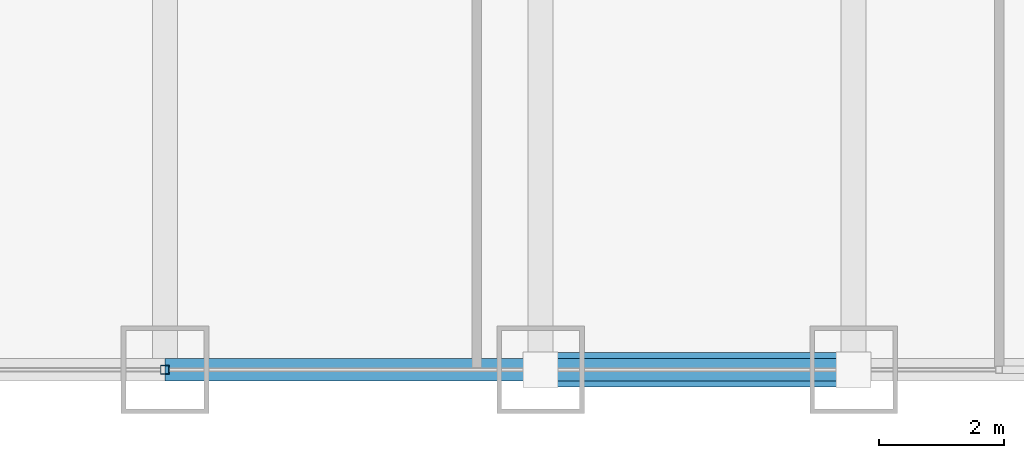
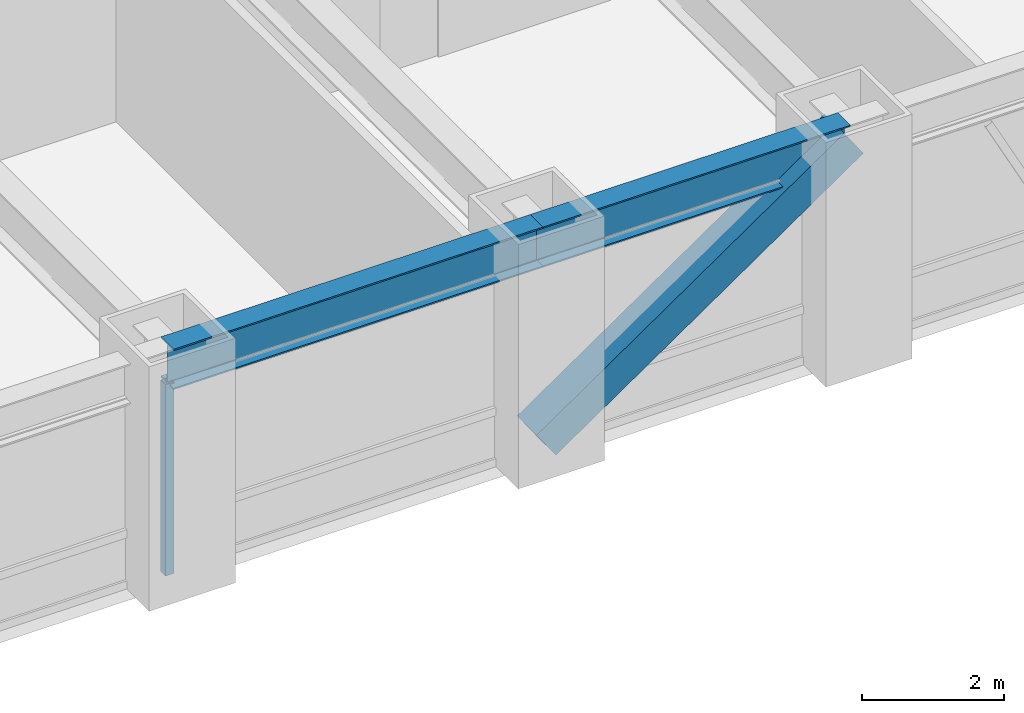
# One storey, part 4 of 28: 2 beams, 2 members, 1 element without a shape of its own.
"""IFC4 building model written with IfcOpenShell, lengths in metres."""

from ifc_helpers import new_model, si_unit, direction, frame, origin, origin_2d, place, context, subcontext, project, spatial, hollow_rectangle, i_section, extrude, source, transform, mapped, material, material_profile, profile_set, type_object, element, aggregate, save


model = new_model("IFC4")

# Units and contexts
model_context = context("Model", 3, precision=1e-05, world=origin(), true_north=direction((0.0, 1.0)))
body_context = subcontext(model_context, "Body", "Model", "MODEL_VIEW")
ifc_project = project(units=[si_unit("LENGTHUNIT", "METRE"), si_unit("AREAUNIT", "SQUARE_METRE"), si_unit("VOLUMEUNIT", "CUBIC_METRE"), si_unit("PLANEANGLEUNIT", "RADIAN"), si_unit("MASSUNIT", "GRAM", prefix="KILO")], contexts=[model_context])

# Site, building, storey
site_placement = place(None, origin())
site = spatial("IfcSite", under=ifc_project, at=site_placement, CompositionType="ELEMENT")
building_placement = place(site_placement, origin())
building = spatial("IfcBuilding", under=site, at=building_placement, Name="Khorayat Bourse Tower", CompositionType="ELEMENT")
storey_placement = place(building_placement, frame((0.0, 0.0, 83.0)))
storey = spatial("IfcBuildingStorey", under=building, at=storey_placement, Name="L18", CompositionType="ELEMENT", Elevation=83.0)

# Beams
ifc_material_1 = material(Name="Steel ASTM A992 Grade 50", Category="steel")
ifc_material_profile_1 = material_profile(ifc_material_1, i_section(OverallWidth=0.35498046875, OverallDepth=0.695068359375, WebThickness=0.015380859375, FlangeThickness=0.02490234375, FilletRadius=0.01806640625, at=origin_2d()), Name="W690X217")
ifc_profile_set_1 = profile_set([ifc_material_profile_1], Name="Steel ASTM A992 Grade 50")
beam_type = type_object("IfcBeamType", Name="BM-SPAN-690", PredefinedType="SPANDREL", material=ifc_profile_set_1)
shared_shape_1 = source(origin(), body_context, "Body", "SweptSolid", [
    extrude(i_section(OverallWidth=0.35498046875, OverallDepth=0.695068359375, WebThickness=0.015380859375, FlangeThickness=0.02490234375, FilletRadius=0.01806640625, at=origin_2d()), origin(), (0.0, 0.0, 1.0), 5.0),
])
beam_1_placement = place(storey_placement, frame((6.0, -32.0, 3.592529296875), z_axis=(1.0, 0.0, 0.0), x_axis=(0.0, 1.0, 0.0)))
element("IfcBeam", 1, at=beam_1_placement, inside=storey, type_object=beam_type, Name="L18 BM-SPAN-690 BM-L18-SPN-029", PredefinedType="SPANDREL", context=body_context, shape_type="MappedRepresentation", body=[
    mapped(shared_shape_1, transform((0.0, 0.0, 0.0), scale=1.0)),
])
shared_shape_2 = source(origin(), body_context, "Body", "SweptSolid", [
    extrude(i_section(OverallWidth=0.35498046875, OverallDepth=0.695068359375, WebThickness=0.015380859375, FlangeThickness=0.02490234375, FilletRadius=0.01806640625, at=origin_2d()), origin(), (0.0, 0.0, 1.0), 6.0),
])
beam_2_placement = place(storey_placement, frame((0.0, -32.0, 3.592529296875), z_axis=(1.0, 0.0, 0.0), x_axis=(0.0, 1.0, 0.0)))
element("IfcBeam", 2, at=beam_2_placement, inside=storey, type_object=beam_type, Name="L18 BM-SPAN-690 BM-L18-SPN-028", PredefinedType="SPANDREL", context=body_context, shape_type="MappedRepresentation", body=[
    mapped(shared_shape_2, transform((0.0, 0.0, 0.0), scale=1.0)),
])

# Member
ifc_material_2 = material(Name="Steel EN 10025-4 S460M", Category="steel")
ifc_material_profile_2 = material_profile(ifc_material_2, hollow_rectangle(XDim=0.550048828125, YDim=0.550048828125, WallThickness=0.031982421875, at=origin_2d()), Name="HSS 550x550x32")
ifc_profile_set_2 = profile_set([ifc_material_profile_2], Name="Steel EN 10025-4 S460M")
member_type_1 = type_object("IfcMemberType", Name="MBR-TUBE-550", PredefinedType="BRACE", material=ifc_profile_set_2)
shared_shape_3 = source(origin(), body_context, "Body", "SweptSolid", [
    extrude(hollow_rectangle(XDim=0.550048828125, YDim=0.550048828125, WallThickness=0.031982421875, at=origin_2d()), origin(), (0.0, 0.0, 1.0), 6.069091796875),
])
member_1_placement = place(storey_placement, frame((6.0, -32.0, 0.25), z_axis=(0.823854080622, 0.0, 0.566801952928), x_axis=(0.0, 1.0, 0.0)))
element("IfcMember", 3, at=member_1_placement, inside=storey, type_object=member_type_1, Name="L18 Perimeter Tube Brace 02", PredefinedType="BRACE", context=body_context, shape_type="MappedRepresentation", body=[
    mapped(shared_shape_3, transform((0.0, 0.0, 0.0), scale=1.0)),
])

# Curtain wall, member
ifc_material_3 = material(Name="Aluminium EN AW-6063 T6", Category="aluminium")
curtain_wall_type = type_object("IfcCurtainWallType", Name="CW-SYS-02", PredefinedType="NOTDEFINED", material=ifc_material_3)
curtain_wall_placement = place(storey_placement, origin())
curtain_wall = element("IfcCurtainWall", 4, at=curtain_wall_placement, inside=storey, type_object=curtain_wall_type, Name="L18 Curtain Wall CW-L18-S1", PredefinedType="NOTDEFINED")
ifc_material_profile_3 = material_profile(ifc_material_3, hollow_rectangle(XDim=0.139892578125, YDim=0.139892578125, WallThickness=0.006103515625, at=origin_2d()), Name="ALU 140x140x6")
ifc_profile_set_3 = profile_set([ifc_material_profile_3], Name="Aluminium EN AW-6063 T6")
member_type_2 = type_object("IfcMemberType", Name="CWM-VERT-140", PredefinedType="MULLION", material=ifc_profile_set_3)
shared_shape_4 = source(origin(), body_context, "Body", "SweptSolid", [
    extrude(hollow_rectangle(XDim=0.139892578125, YDim=0.139892578125, WallThickness=0.006103515625, at=origin_2d()), origin(), (0.0, 0.0, 1.0), 3.2900390625),
])
member_2_placement = place(storey_placement, frame((0.0, -32.0, 0.0), z_axis=(0.0, 0.0, 1.0), x_axis=(0.0, 1.0, 0.0)))
member_2 = element("IfcMember", 5, at=member_2_placement, type_object=member_type_2, Name="CW-L18-S1 Vertical Mullion 2", PredefinedType="MULLION", context=body_context, shape_type="MappedRepresentation", body=[
    mapped(shared_shape_4, transform((0.0, 0.0, 0.0), scale=1.0)),
])
aggregate(curtain_wall, [member_2])

save(model, "model.ifc")
